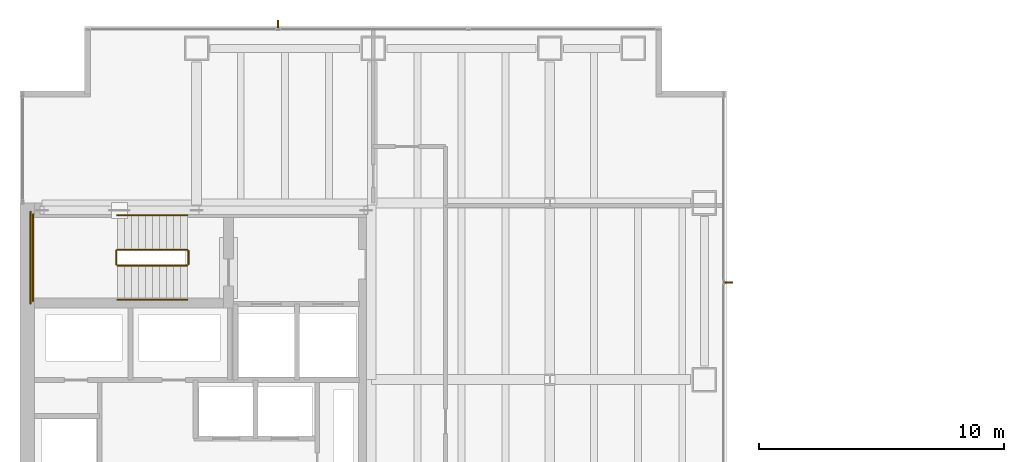
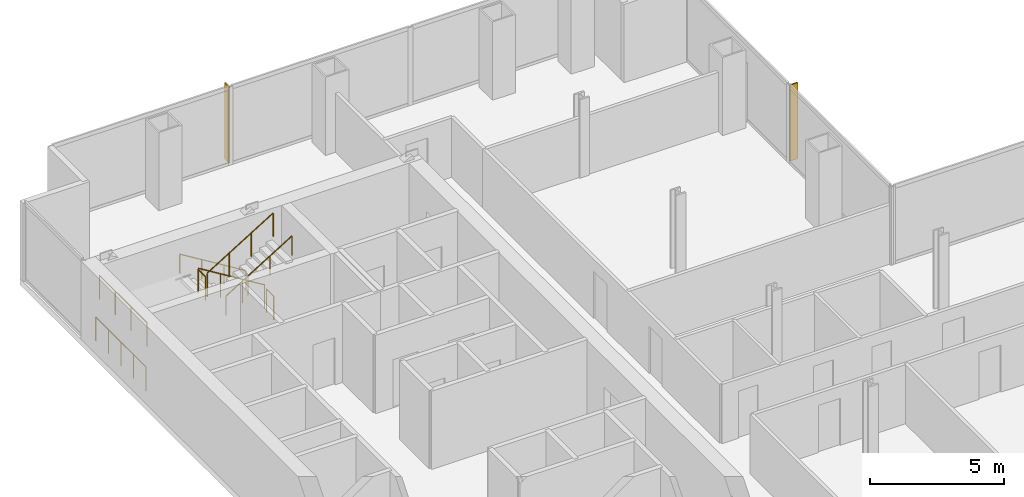
# One storey, part 25 of 25: 8 railings, 2 shading devices.
"""IFC4 building model written with IfcOpenShell, lengths in metres."""

from ifc_helpers import new_model, si_unit, direction, frame, origin, origin_2d, place, context, subcontext, project, spatial, polyline, circle, outline, extrude, material, layer, layer_set, type_object, element, save


model = new_model("IFC4")

# Units and contexts
model_context = context("Model", 3, precision=1e-05, world=origin(), true_north=direction((0.0, 1.0)))
body_context = subcontext(model_context, "Body", "Model", "MODEL_VIEW")
ifc_project = project(units=[si_unit("LENGTHUNIT", "METRE"), si_unit("AREAUNIT", "SQUARE_METRE"), si_unit("VOLUMEUNIT", "CUBIC_METRE"), si_unit("PLANEANGLEUNIT", "RADIAN"), si_unit("MASSUNIT", "GRAM", prefix="KILO")], contexts=[model_context])

# Site, building, storey
site_placement = place(None, origin())
site = spatial("IfcSite", under=ifc_project, at=site_placement, CompositionType="ELEMENT")
building_placement = place(site_placement, origin())
building = spatial("IfcBuilding", under=site, at=building_placement, Name="Cobrela Telecom Tower", CompositionType="ELEMENT")
storey_placement = place(building_placement, frame((0.0, 0.0, 46.550048828125)))
storey = spatial("IfcBuildingStorey", under=building, at=storey_placement, Name="L11", CompositionType="ELEMENT", Elevation=46.550048828125)

# Railings
ifc_material_1 = material(Name="Steel ASTM A36", Category="steel")
railing_type_1 = type_object("IfcRailingType", Name="RAIL-GUARD-1100", PredefinedType="GUARDRAIL", material=ifc_material_1)
railing_1_placement = place(storey_placement, frame((6.820068359375, 34.10009765625, 0.175048828125)))
element("IfcRailing", 1, at=railing_1_placement, inside=storey, type_object=railing_type_1, Name="L11 ST1 stair guard 1", PredefinedType="GUARDRAIL", context=body_context, shape_type="SweptSolid", body=[
    extrude(circle(Radius=0.02392578125, at=origin_2d()), frame((0.0, 0.0, 1.076171875), z_axis=(-0.852179220489, 0.0, 0.52325001306), x_axis=(0.0, -1.0, 0.0)), (0.0, 0.0, 1.0), 3.344482421875),
    extrude(circle(Radius=0.02099609375, at=origin_2d()), origin(), (0.0, 0.0, 1.0), 1.052001953125),
    extrude(circle(Radius=0.02099609375, at=origin_2d()), frame((-0.949951171875, 0.0, 0.583251953125)), (0.0, 0.0, 1.0), 1.052001953125),
    extrude(circle(Radius=0.02099609375, at=origin_2d()), frame((-1.900146484375, 0.0, 1.166748046875)), (0.0, 0.0, 1.0), 1.052001953125),
    extrude(circle(Radius=0.02099609375, at=origin_2d()), frame((-2.85009765625, 0.0, 1.75)), (0.0, 0.0, 1.0), 1.052001953125),
])
railing_2_placement = place(storey_placement, frame((3.919921875, 34.050048828125, 1.925048828125)))
element("IfcRailing", 2, at=railing_2_placement, inside=storey, type_object=railing_type_1, Name="L11 ST1 stair guard 2", PredefinedType="GUARDRAIL", context=body_context, shape_type="SweptSolid", body=[
    extrude(circle(Radius=0.02392578125, at=origin_2d()), frame((0.0, 0.0, 1.076171875), z_axis=(0.0, -1.0, 0.0), x_axis=(1.0, 0.0, 0.0)), (0.0, 0.0, 1.0), 0.550048828125),
    extrude(circle(Radius=0.02099609375, at=origin_2d()), origin(), (0.0, 0.0, 1.0), 1.052001953125),
    extrude(circle(Radius=0.02099609375, at=origin_2d()), frame((0.0, -0.550048828125, 0.0)), (0.0, 0.0, 1.0), 1.052001953125),
])
railing_3_placement = place(storey_placement, frame((0.530029296875, 35.550048828125, 1.925048828125)))
element("IfcRailing", 3, at=railing_3_placement, inside=storey, type_object=railing_type_1, Name="L11 ST1 stair guard 3", PredefinedType="GUARDRAIL", context=body_context, shape_type="SweptSolid", body=[
    extrude(circle(Radius=0.02392578125, at=origin_2d()), frame((0.0, 0.0, 1.076171875), z_axis=(0.0, -1.0, 0.0), x_axis=(1.0, 0.0, 0.0)), (0.0, 0.0, 1.0), 3.550048828125),
    extrude(circle(Radius=0.02099609375, at=origin_2d()), origin(), (0.0, 0.0, 1.0), 1.052001953125),
    extrude(circle(Radius=0.02099609375, at=origin_2d()), frame((0.0, -1.183349609375, 0.0)), (0.0, 0.0, 1.0), 1.052001953125),
    extrude(circle(Radius=0.02099609375, at=origin_2d()), frame((0.0, -2.36669921875, 0.0)), (0.0, 0.0, 1.0), 1.052001953125),
    extrude(circle(Radius=0.02099609375, at=origin_2d()), frame((0.0, -3.550048828125, 0.0)), (0.0, 0.0, 1.0), 1.052001953125),
])
railing_4_placement = place(storey_placement, frame((3.969970703125, 33.449951171875, 2.099853515625)))
element("IfcRailing", 4, at=railing_4_placement, inside=storey, type_object=railing_type_1, Name="L11 ST1 stair guard 4", PredefinedType="GUARDRAIL", context=body_context, shape_type="SweptSolid", body=[
    extrude(circle(Radius=0.02392578125, at=origin_2d()), frame((0.0, 0.0, 1.076171875), z_axis=(0.852179220489, 0.0, 0.52325001306), x_axis=(0.0, 1.0, 0.0)), (0.0, 0.0, 1.0), 3.344482421875),
    extrude(circle(Radius=0.02099609375, at=origin_2d()), origin(), (0.0, 0.0, 1.0), 1.052001953125),
    extrude(circle(Radius=0.02099609375, at=origin_2d()), frame((0.949951171875, 0.0, 0.583251953125)), (0.0, 0.0, 1.0), 1.052001953125),
    extrude(circle(Radius=0.02099609375, at=origin_2d()), frame((1.900146484375, 0.0, 1.166748046875)), (0.0, 0.0, 1.0), 1.052001953125),
    extrude(circle(Radius=0.02099609375, at=origin_2d()), frame((2.85009765625, 0.0, 1.75)), (0.0, 0.0, 1.0), 1.052001953125),
])
railing_5_placement = place(storey_placement, frame((6.8701171875, 34.050048828125, 0.0)))
element("IfcRailing", 5, at=railing_5_placement, inside=storey, type_object=railing_type_1, Name="L11 ST1 stair guard 5", PredefinedType="GUARDRAIL", context=body_context, shape_type="SweptSolid", body=[
    extrude(circle(Radius=0.02392578125, at=origin_2d()), frame((0.0, 0.0, 1.076171875), z_axis=(0.0, -1.0, 0.0), x_axis=(1.0, 0.0, 0.0)), (0.0, 0.0, 1.0), 0.550048828125),
    extrude(circle(Radius=0.02099609375, at=origin_2d()), origin(), (0.0, 0.0, 1.0), 1.052001953125),
    extrude(circle(Radius=0.02099609375, at=origin_2d()), frame((0.0, -0.550048828125, 0.0)), (0.0, 0.0, 1.0), 1.052001953125),
])
railing_6_placement = place(storey_placement, frame((0.429931640625, 35.64990234375, 0.0)))
element("IfcRailing", 6, at=railing_6_placement, inside=storey, type_object=railing_type_1, Name="L11 ST1 stair guard 6", PredefinedType="GUARDRAIL", context=body_context, shape_type="SweptSolid", body=[
    extrude(circle(Radius=0.02392578125, at=origin_2d()), frame((0.0, 0.0, 1.076171875), z_axis=(0.0, -1.0, 0.0), x_axis=(1.0, 0.0, 0.0)), (0.0, 0.0, 1.0), 3.75),
    extrude(circle(Radius=0.02099609375, at=origin_2d()), origin(), (0.0, 0.0, 1.0), 1.052001953125),
    extrude(circle(Radius=0.02099609375, at=origin_2d()), frame((0.0, -0.9375, 0.0)), (0.0, 0.0, 1.0), 1.052001953125),
    extrude(circle(Radius=0.02099609375, at=origin_2d()), frame((0.0, -1.875, 0.0)), (0.0, 0.0, 1.0), 1.052001953125),
    extrude(circle(Radius=0.02099609375, at=origin_2d()), frame((0.0, -2.8125, 0.0)), (0.0, 0.0, 1.0), 1.052001953125),
    extrude(circle(Radius=0.02099609375, at=origin_2d()), frame((0.0, -3.75, 0.0)), (0.0, 0.0, 1.0), 1.052001953125),
])
railing_type_2 = type_object("IfcRailingType", Name="RAIL-HAND-920", PredefinedType="HANDRAIL", material=ifc_material_1)
railing_7_placement = place(storey_placement, frame((6.820068359375, 35.5, 0.175048828125)))
element("IfcRailing", 7, at=railing_7_placement, inside=storey, type_object=railing_type_2, Name="L11 ST1 stair handrail 1", PredefinedType="HANDRAIL", context=body_context, shape_type="SweptSolid", body=[
    extrude(circle(Radius=0.02392578125, at=origin_2d()), frame((0.0, 0.0, 0.8759765625), z_axis=(-0.852179220489, 0.0, 0.52325001306), x_axis=(0.0, -1.0, 0.0)), (0.0, 0.0, 1.0), 3.344482421875),
    extrude(circle(Radius=0.02099609375, at=origin_2d()), origin(), (0.0, 0.0, 1.0), 0.851806640625),
    extrude(circle(Radius=0.02099609375, at=origin_2d()), frame((-0.949951171875, 0.0, 0.583251953125)), (0.0, 0.0, 1.0), 0.851806640625),
    extrude(circle(Radius=0.02099609375, at=origin_2d()), frame((-1.900146484375, 0.0, 1.166748046875)), (0.0, 0.0, 1.0), 0.851806640625),
    extrude(circle(Radius=0.02099609375, at=origin_2d()), frame((-2.85009765625, 0.0, 1.75)), (0.0, 0.0, 1.0), 0.851806640625),
])
railing_8_placement = place(storey_placement, frame((3.969970703125, 32.050048828125, 2.099853515625)))
element("IfcRailing", 8, at=railing_8_placement, inside=storey, type_object=railing_type_2, Name="L11 ST1 stair handrail 2", PredefinedType="HANDRAIL", context=body_context, shape_type="SweptSolid", body=[
    extrude(circle(Radius=0.02392578125, at=origin_2d()), frame((0.0, 0.0, 0.8759765625), z_axis=(0.852179220489, 0.0, 0.52325001306), x_axis=(0.0, 1.0, 0.0)), (0.0, 0.0, 1.0), 3.344482421875),
    extrude(circle(Radius=0.02099609375, at=origin_2d()), origin(), (0.0, 0.0, 1.0), 0.851806640625),
    extrude(circle(Radius=0.02099609375, at=origin_2d()), frame((0.949951171875, 0.0, 0.583251953125)), (0.0, 0.0, 1.0), 0.851806640625),
    extrude(circle(Radius=0.02099609375, at=origin_2d()), frame((1.900146484375, 0.0, 1.166748046875)), (0.0, 0.0, 1.0), 0.851806640625),
    extrude(circle(Radius=0.02099609375, at=origin_2d()), frame((2.85009765625, 0.0, 1.75)), (0.0, 0.0, 1.0), 0.851806640625),
])

# Shading devices
ifc_material_2 = material(Name="Anodized Bronze Aluminium 6063-T6", Category="aluminium")
ifc_layer = layer(ifc_material_2, 0.06005859375)
ifc_layer_set = layer_set([ifc_layer], Name="Anodized Bronze Aluminium 6063-T6")
shading_device_type = type_object("IfcShadingDeviceType", Name="SHD-FIN-BRZ", PredefinedType="USERDEFINED", material=ifc_layer_set)
shading_device_1_placement = place(storey_placement, frame((0.0, 0.0, 0.050048828125)))
element("IfcShadingDevice", 9, at=shading_device_1_placement, inside=storey, type_object=shading_device_type, Name="L11 Anodized Bronze Solar Fin 16", ObjectType="SUNSHADE", PredefinedType="USERDEFINED", context=body_context, shape_type="SweptSolid", body=[
    extrude(outline(polyline([(10.48681640625, 43.1201171875), (10.546630859375, 43.1201171875), (10.546630859375, 43.4599609375), (10.48681640625, 43.4599609375), (10.48681640625, 43.1201171875)])), origin(), (0.0, 0.0, 1.0), 3.469970703125),
])
shading_device_2_placement = place(storey_placement, frame((0.0, 0.0, 0.050048828125)))
element("IfcShadingDevice", 10, at=shading_device_2_placement, inside=storey, type_object=shading_device_type, Name="L11 Anodized Bronze Solar Fin 17", ObjectType="SUNSHADE", PredefinedType="USERDEFINED", context=body_context, shape_type="SweptSolid", body=[
    extrude(outline(polyline([(28.719970703125, 32.794921875), (28.719970703125, 32.735107421875), (29.06005859375, 32.735107421875), (29.06005859375, 32.794921875), (28.719970703125, 32.794921875)])), origin(), (0.0, 0.0, 1.0), 3.469970703125),
])

save(model, "model.ifc")
